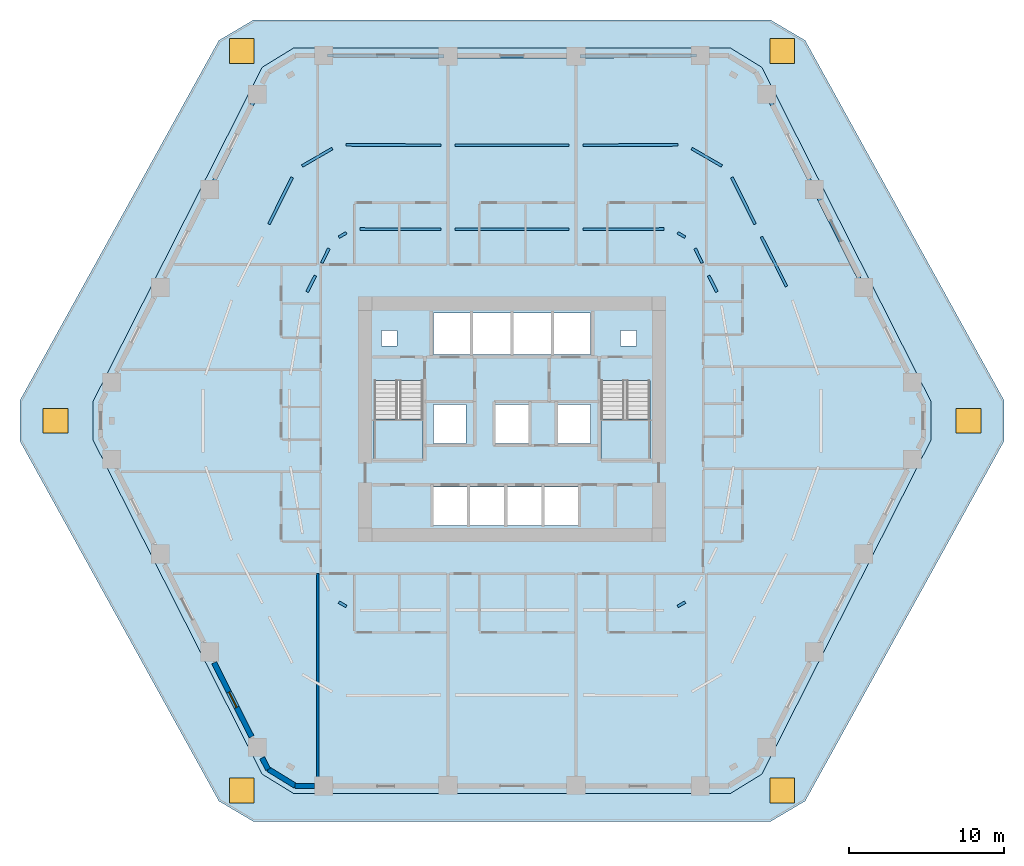
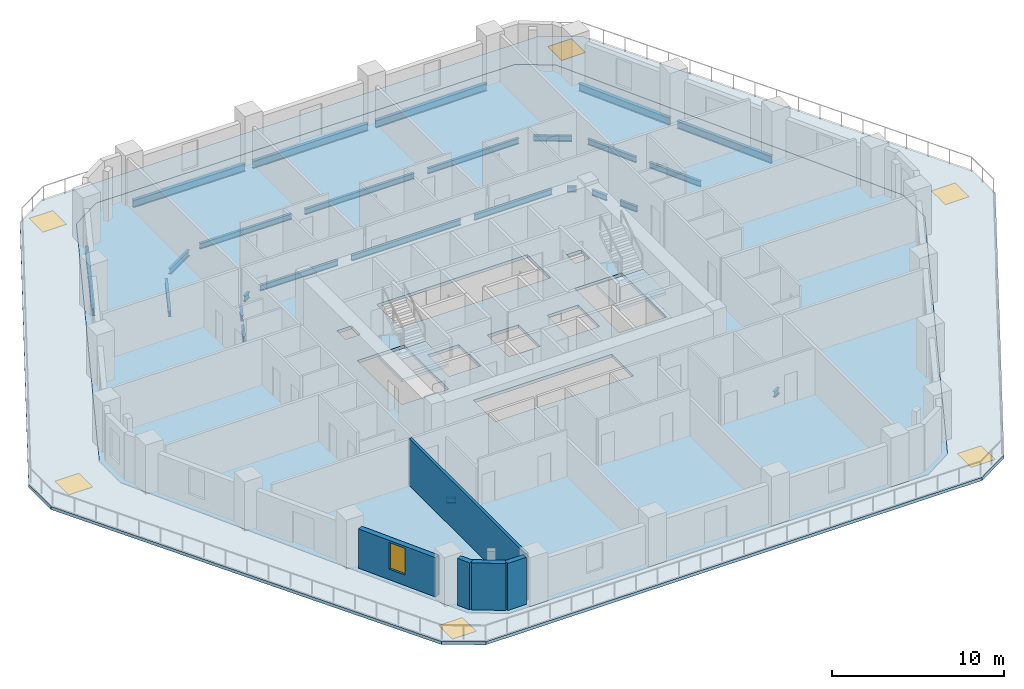
# One storey, part 2 of 10: 25 beams, 7 windows, 5 walls, 4 slabs, 7 openings, 2 elements without a shape of their own.
"""IFC4 building model written with IfcOpenShell, lengths in metres."""

from ifc_helpers import new_model, si_unit, direction, frame, frame_2d, origin, origin_2d, place, context, subcontext, project, spatial, polyline, rectangle, i_section, outline, extrude, material, layer, layer_set, material_profile, profile_set, type_object, element, fill, aggregate, save


model = new_model("IFC4")

# Units and contexts
model_context = context("Model", 3, precision=1e-05, world=origin(), true_north=direction((0.0, 1.0)))
body_context = subcontext(model_context, "Body", "Model", "MODEL_VIEW")
ifc_project = project(units=[si_unit("LENGTHUNIT", "METRE"), si_unit("AREAUNIT", "SQUARE_METRE"), si_unit("VOLUMEUNIT", "CUBIC_METRE"), si_unit("PLANEANGLEUNIT", "RADIAN"), si_unit("MASSUNIT", "GRAM", prefix="KILO")], contexts=[model_context])

# Site, building, storey
site_placement = place(None, origin())
site = spatial("IfcSite", under=ifc_project, at=site_placement, CompositionType="ELEMENT")
building_placement = place(site_placement, origin())
building = spatial("IfcBuilding", under=site, at=building_placement, Name="Cinnabar Lancet Tower", CompositionType="ELEMENT")
storey_placement = place(building_placement, frame((0.0, 0.0, 24.89990234375)))
storey = spatial("IfcBuildingStorey", under=building, at=storey_placement, Name="L05", CompositionType="ELEMENT", Elevation=24.89990234375)

# Beams
ifc_material_1 = material(Name="Structural steel S355", Category="steel")
ifc_material_profile_1 = material_profile(ifc_material_1, i_section(OverallWidth=0.177978515625, OverallDepth=0.406494140625, WebThickness=0.0078125, FlangeThickness=0.0126953125, FilletRadius=0.01025390625, at=origin_2d()), Name="UKB 406x178x60")
ifc_profile_set_1 = profile_set([ifc_material_profile_1], Name="Structural steel S355")
beam_type_1 = type_object("IfcBeamType", Name="STR-BM-JST-406", PredefinedType="JOIST", material=ifc_profile_set_1)
for number, where, z_axis, x_axis, name in (
    (1, (21.25390625, 14.12109375, -0.4228515625), (0.865275582927, -0.501296484717, 0.0), (0.501296484717, 0.865275582927, 0.0), "L05 Secondary Floor Joist 8"),
    (2, (43.06591796875, 13.843017578125, -0.4228515625), (0.865275582927, 0.501296484717, 0.0), (-0.501296484717, 0.865275582927, 0.0), "L05 Secondary Floor Joist 16"),
):
    element("IfcBeam", number, at=place(storey_placement, frame(where, z_axis=z_axis, x_axis=x_axis)), inside=storey, type_object=beam_type_1, Name=name, PredefinedType="JOIST", context=body_context, shape_type="SweptSolid", body=[
        extrude(i_section(OverallWidth=0.177978515625, OverallDepth=0.406494140625, WebThickness=0.0078125, FlangeThickness=0.0126953125, FilletRadius=0.01025390625, at=origin_2d()), origin(), (0.0, 0.0, 1.0), 0.5546875),
    ])
beam_1_placement = place(storey_placement, frame((50.075927734375, 34.443115234375, -0.4228515625), z_axis=(-0.45078084277, 0.892634657512, 0.0), x_axis=(-0.892634657512, -0.45078084277, 0.0)))
element("IfcBeam", 3, at=beam_1_placement, inside=storey, type_object=beam_type_1, Name="L05 Secondary Floor Joist 27", PredefinedType="JOIST", context=body_context, shape_type="SweptSolid", body=[
    extrude(i_section(OverallWidth=0.177978515625, OverallDepth=0.406494140625, WebThickness=0.0078125, FlangeThickness=0.0126953125, FilletRadius=0.01025390625, at=origin_2d()), origin(), (0.0, 0.0, 1.0), 3.582763671875),
])
beam_2_placement = place(storey_placement, frame((45.590087890625, 34.093017578125, -0.4228515625), z_axis=(-0.451268125173, 0.892388412745, 0.0), x_axis=(-0.892388412745, -0.451268125173, 0.0)))
element("IfcBeam", 4, at=beam_2_placement, inside=storey, type_object=beam_type_1, Name="L05 Secondary Floor Joist 28", PredefinedType="JOIST", context=body_context, shape_type="SweptSolid", body=[
    extrude(i_section(OverallWidth=0.177978515625, OverallDepth=0.406494140625, WebThickness=0.0078125, FlangeThickness=0.0126953125, FilletRadius=0.01025390625, at=origin_2d()), origin(), (0.0, 0.0, 1.0), 1.178955078125),
])
beam_3_placement = place(storey_placement, frame((48.052001953125, 38.45703125, -0.4228515625), z_axis=(-0.445649230563, 0.895207664902, 0.0), x_axis=(-0.895207664902, -0.445649230563, 0.0)))
element("IfcBeam", 5, at=beam_3_placement, inside=storey, type_object=beam_type_1, Name="L05 Secondary Floor Joist 29", PredefinedType="JOIST", context=body_context, shape_type="SweptSolid", body=[
    extrude(i_section(OverallWidth=0.177978515625, OverallDepth=0.406494140625, WebThickness=0.0078125, FlangeThickness=0.0126953125, FilletRadius=0.01025390625, at=origin_2d()), origin(), (0.0, 0.0, 1.0), 3.37255859375),
])
beam_4_placement = place(storey_placement, frame((44.64892578125, 35.9609375, -0.4228515625), z_axis=(-0.445150656948, 0.895455689925, 0.0), x_axis=(-0.895455689925, -0.445150656948, 0.0)))
element("IfcBeam", 6, at=beam_4_placement, inside=storey, type_object=beam_type_1, Name="L05 Secondary Floor Joist 30", PredefinedType="JOIST", context=body_context, shape_type="SweptSolid", body=[
    extrude(i_section(OverallWidth=0.177978515625, OverallDepth=0.406494140625, WebThickness=0.0078125, FlangeThickness=0.0126953125, FilletRadius=0.01025390625, at=origin_2d()), origin(), (0.0, 0.0, 1.0), 1.0419921875),
])
beam_5_placement = place(storey_placement, frame((45.909912109375, 42.200927734375, -0.4228515625), z_axis=(-0.865112573379, 0.501577746098, 0.0), x_axis=(-0.501577746098, -0.865112573379, 0.0)))
element("IfcBeam", 7, at=beam_5_placement, inside=storey, type_object=beam_type_1, Name="L05 Secondary Floor Joist 31", PredefinedType="JOIST", context=body_context, shape_type="SweptSolid", body=[
    extrude(i_section(OverallWidth=0.177978515625, OverallDepth=0.406494140625, WebThickness=0.0078125, FlangeThickness=0.0126953125, FilletRadius=0.01025390625, at=origin_2d()), origin(), (0.0, 0.0, 1.0), 2.239013671875),
])
beam_6_placement = place(storey_placement, frame((43.5458984375, 37.618896484375, -0.4228515625), z_axis=(-0.865275582927, 0.501296484717, 0.0), x_axis=(-0.501296484717, -0.865275582927, 0.0)))
element("IfcBeam", 8, at=beam_6_placement, inside=storey, type_object=beam_type_1, Name="L05 Secondary Floor Joist 32", PredefinedType="JOIST", context=body_context, shape_type="SweptSolid", body=[
    extrude(i_section(OverallWidth=0.177978515625, OverallDepth=0.406494140625, WebThickness=0.0078125, FlangeThickness=0.0126953125, FilletRadius=0.01025390625, at=origin_2d()), origin(), (0.0, 0.0, 1.0), 0.5546875),
])
beam_7_placement = place(storey_placement, frame((43.10009765625, 43.56298828125, -0.4228515625), z_axis=(-0.999987994221, -0.004900144348, 0.0), x_axis=(0.004900144348, -0.999987994221, 0.0)))
element("IfcBeam", 9, at=beam_7_placement, inside=storey, type_object=beam_type_1, Name="L05 Secondary Floor Joist 33", PredefinedType="JOIST", context=body_context, shape_type="SweptSolid", body=[
    extrude(i_section(OverallWidth=0.177978515625, OverallDepth=0.406494140625, WebThickness=0.0078125, FlangeThickness=0.0126953125, FilletRadius=0.01025390625, at=origin_2d()), origin(), (0.0, 0.0, 1.0), 6.128173828125),
])
beam_8_placement = place(storey_placement, frame((42.194091796875, 38.136962890625, -0.4228515625), z_axis=(-0.999996930284, -0.002477785755, 0.0), x_axis=(0.002477785755, -0.999996930284, 0.0)))
element("IfcBeam", 10, at=beam_8_placement, inside=storey, type_object=beam_type_1, Name="L05 Secondary Floor Joist 34", PredefinedType="JOIST", context=body_context, shape_type="SweptSolid", body=[
    extrude(i_section(OverallWidth=0.177978515625, OverallDepth=0.406494140625, WebThickness=0.0078125, FlangeThickness=0.0126953125, FilletRadius=0.01025390625, at=origin_2d()), origin(), (0.0, 0.0, 1.0), 5.22216796875),
])
for number, where, z_axis, x_axis, name in (
    (11, (36.072021484375, 43.531005859375, -0.4228515625), (-1.0, 0.0, 0.0), (0.0, -1.0, 0.0), "L05 Secondary Floor Joist 35"),
    (12, (36.072021484375, 38.1220703125, -0.4228515625), (-1.0, 0.0, 0.0), (0.0, -1.0, 0.0), "L05 Secondary Floor Joist 36"),
):
    element("IfcBeam", number, at=place(storey_placement, frame(where, z_axis=z_axis, x_axis=x_axis)), inside=storey, type_object=beam_type_1, Name=name, PredefinedType="JOIST", context=body_context, shape_type="SweptSolid", body=[
        extrude(i_section(OverallWidth=0.177978515625, OverallDepth=0.406494140625, WebThickness=0.0078125, FlangeThickness=0.0126953125, FilletRadius=0.01025390625, at=origin_2d()), origin(), (0.0, 0.0, 1.0), 7.343994140625),
    ])
beam_9_placement = place(storey_placement, frame((27.827880859375, 43.532958984375, -0.4228515625), z_axis=(-0.999987993264, 0.004900339569, 0.0), x_axis=(-0.004900339569, -0.999987993264, 0.0)))
element("IfcBeam", 13, at=beam_9_placement, inside=storey, type_object=beam_type_1, Name="L05 Secondary Floor Joist 37", PredefinedType="JOIST", context=body_context, shape_type="SweptSolid", body=[
    extrude(i_section(OverallWidth=0.177978515625, OverallDepth=0.406494140625, WebThickness=0.0078125, FlangeThickness=0.0126953125, FilletRadius=0.01025390625, at=origin_2d()), origin(), (0.0, 0.0, 1.0), 6.1279296875),
])
beam_10_placement = place(storey_placement, frame((27.827880859375, 38.1240234375, -0.4228515625), z_axis=(-0.999996929997, 0.002477901598, 0.0), x_axis=(-0.002477901598, -0.999996929997, 0.0)))
element("IfcBeam", 14, at=beam_10_placement, inside=storey, type_object=beam_type_1, Name="L05 Secondary Floor Joist 38", PredefinedType="JOIST", context=body_context, shape_type="SweptSolid", body=[
    extrude(i_section(OverallWidth=0.177978515625, OverallDepth=0.406494140625, WebThickness=0.0078125, FlangeThickness=0.0126953125, FilletRadius=0.01025390625, at=origin_2d()), origin(), (0.0, 0.0, 1.0), 5.221923828125),
])
beam_11_placement = place(storey_placement, frame((20.826904296875, 43.323974609375, -0.4228515625), z_axis=(-0.865112573379, -0.501577746098, 0.0), x_axis=(0.501577746098, -0.865112573379, 0.0)))
element("IfcBeam", 15, at=beam_11_placement, inside=storey, type_object=beam_type_1, Name="L05 Secondary Floor Joist 39", PredefinedType="JOIST", context=body_context, shape_type="SweptSolid", body=[
    extrude(i_section(OverallWidth=0.177978515625, OverallDepth=0.406494140625, WebThickness=0.0078125, FlangeThickness=0.0126953125, FilletRadius=0.01025390625, at=origin_2d()), origin(), (0.0, 0.0, 1.0), 2.239013671875),
])
beam_12_placement = place(storey_placement, frame((21.73388671875, 37.89697265625, -0.4228515625), z_axis=(-0.865275582927, -0.501296484717, 0.0), x_axis=(0.501296484717, -0.865275582927, 0.0)))
element("IfcBeam", 16, at=beam_12_placement, inside=storey, type_object=beam_type_1, Name="L05 Secondary Floor Joist 40", PredefinedType="JOIST", context=body_context, shape_type="SweptSolid", body=[
    extrude(i_section(OverallWidth=0.177978515625, OverallDepth=0.406494140625, WebThickness=0.0078125, FlangeThickness=0.0126953125, FilletRadius=0.01025390625, at=origin_2d()), origin(), (0.0, 0.0, 1.0), 0.5546875),
])
beam_13_placement = place(storey_placement, frame((18.2509765625, 41.47607421875, -0.4228515625), z_axis=(-0.445649230563, -0.895207664902, 0.0), x_axis=(0.895207664902, -0.445649230563, 0.0)))
element("IfcBeam", 17, at=beam_13_placement, inside=storey, type_object=beam_type_1, Name="L05 Secondary Floor Joist 41", PredefinedType="JOIST", context=body_context, shape_type="SweptSolid", body=[
    extrude(i_section(OverallWidth=0.177978515625, OverallDepth=0.406494140625, WebThickness=0.0078125, FlangeThickness=0.0126953125, FilletRadius=0.01025390625, at=origin_2d()), origin(), (0.0, 0.0, 1.0), 3.37255859375),
])
beam_14_placement = place(storey_placement, frame((20.614990234375, 36.89404296875, -0.4228515625), z_axis=(-0.445338490717, -0.895362289069, 0.0), x_axis=(0.895362289069, -0.445338490717, 0.0)))
element("IfcBeam", 18, at=beam_14_placement, inside=storey, type_object=beam_type_1, Name="L05 Secondary Floor Joist 42", PredefinedType="JOIST", context=body_context, shape_type="SweptSolid", body=[
    extrude(i_section(OverallWidth=0.177978515625, OverallDepth=0.406494140625, WebThickness=0.0078125, FlangeThickness=0.0126953125, FilletRadius=0.01025390625, at=origin_2d()), origin(), (0.0, 0.0, 1.0), 1.042236328125),
])
beam_15_placement = place(storey_placement, frame((19.741943359375, 35.14501953125, -0.4228515625), z_axis=(-0.451268125173, -0.892388412745, 0.0), x_axis=(0.892388412745, -0.451268125173, 0.0)))
element("IfcBeam", 19, at=beam_15_placement, inside=storey, type_object=beam_type_1, Name="L05 Secondary Floor Joist 44", PredefinedType="JOIST", context=body_context, shape_type="SweptSolid", body=[
    extrude(i_section(OverallWidth=0.177978515625, OverallDepth=0.406494140625, WebThickness=0.0078125, FlangeThickness=0.0126953125, FilletRadius=0.01025390625, at=origin_2d()), origin(), (0.0, 0.0, 1.0), 1.178955078125),
])
ifc_material_2 = material(Name="Structural steel S355", Category="steel")
ifc_material_profile_2 = material_profile(ifc_material_2, i_section(OverallWidth=0.209228515625, OverallDepth=0.533203125, WebThickness=0.010009765625, FlangeThickness=0.015625, FilletRadius=0.0126953125, at=origin_2d()), Name="UKB 533x210x92")
ifc_profile_set_2 = profile_set([ifc_material_profile_2], Name="Structural steel S355")
beam_type_2 = type_object("IfcBeamType", Name="STR-BM-SPN-533", PredefinedType="SPANDREL", material=ifc_profile_set_2)
beam_16_placement = place(storey_placement, frame((54.93310546875, 34.60302734375, -0.48681640625), z_axis=(-0.450703143926, 0.892673891214, 0.0), x_axis=(-0.892673891214, -0.450703143926, 0.0)))
element("IfcBeam", 20, at=beam_16_placement, inside=storey, type_object=beam_type_2, Name="L05 Perimeter Spandrel 10", PredefinedType="SPANDREL", context=body_context, shape_type="SweptSolid", body=[
    extrude(i_section(OverallWidth=0.209228515625, OverallDepth=0.533203125, WebThickness=0.010009765625, FlangeThickness=0.015625, FilletRadius=0.0126953125, at=origin_2d()), origin(), (0.0, 0.0, 1.0), 6.570068359375),
])
beam_17_placement = place(storey_placement, frame((51.748046875, 40.9150390625, -0.48681640625), z_axis=(-0.445953050023, 0.89505635419, 0.0), x_axis=(-0.89505635419, -0.445953050023, 0.0)))
element("IfcBeam", 21, at=beam_17_placement, inside=storey, type_object=beam_type_2, Name="L05 Perimeter Spandrel 11", PredefinedType="SPANDREL", context=body_context, shape_type="SweptSolid", body=[
    extrude(i_section(OverallWidth=0.209228515625, OverallDepth=0.533203125, WebThickness=0.010009765625, FlangeThickness=0.015625, FilletRadius=0.0126953125, at=origin_2d()), origin(), (0.0, 0.0, 1.0), 6.35498046875),
])
beam_18_placement = place(storey_placement, frame((44.26708984375, 49.30908203125, -0.48681640625), z_axis=(-0.99997856757, -0.006547090947, 0.0), x_axis=(0.006547090947, -0.99997856757, 0.0)))
element("IfcBeam", 22, at=beam_18_placement, inside=storey, type_object=beam_type_2, Name="L05 Perimeter Spandrel 13", PredefinedType="SPANDREL", context=body_context, shape_type="SweptSolid", body=[
    extrude(i_section(OverallWidth=0.209228515625, OverallDepth=0.533203125, WebThickness=0.010009765625, FlangeThickness=0.015625, FilletRadius=0.0126953125, at=origin_2d()), origin(), (0.0, 0.0, 1.0), 7.495361328125),
])
beam_19_placement = place(storey_placement, frame((36.27197265625, 49.258056640625, -0.48681640625), z_axis=(-1.0, 0.0, 0.0), x_axis=(0.0, -1.0, 0.0)))
element("IfcBeam", 23, at=beam_19_placement, inside=storey, type_object=beam_type_2, Name="L05 Perimeter Spandrel 14", PredefinedType="SPANDREL", context=body_context, shape_type="SweptSolid", body=[
    extrude(i_section(OverallWidth=0.209228515625, OverallDepth=0.533203125, WebThickness=0.010009765625, FlangeThickness=0.015625, FilletRadius=0.0126953125, at=origin_2d()), origin(), (0.0, 0.0, 1.0), 7.743896484375),
])
beam_20_placement = place(storey_placement, frame((28.028076171875, 49.260009765625, -0.48681640625), z_axis=(-0.99997856757, 0.006547090947, 0.0), x_axis=(-0.006547090947, -0.99997856757, 0.0)))
element("IfcBeam", 24, at=beam_20_placement, inside=storey, type_object=beam_type_2, Name="L05 Perimeter Spandrel 15", PredefinedType="SPANDREL", context=body_context, shape_type="SweptSolid", body=[
    extrude(i_section(OverallWidth=0.209228515625, OverallDepth=0.533203125, WebThickness=0.010009765625, FlangeThickness=0.015625, FilletRadius=0.0126953125, at=origin_2d()), origin(), (0.0, 0.0, 1.0), 7.495361328125),
])
beam_21_placement = place(storey_placement, frame((15.885986328125, 46.60302734375, -0.48681640625), z_axis=(-0.445953050023, -0.89505635419, 0.0), x_axis=(0.89505635419, -0.445953050023, 0.0)))
element("IfcBeam", 25, at=beam_21_placement, inside=storey, type_object=beam_type_2, Name="L05 Perimeter Spandrel 17", PredefinedType="SPANDREL", context=body_context, shape_type="SweptSolid", body=[
    extrude(i_section(OverallWidth=0.209228515625, OverallDepth=0.533203125, WebThickness=0.010009765625, FlangeThickness=0.015625, FilletRadius=0.0126953125, at=origin_2d()), origin(), (0.0, 0.0, 1.0), 6.35498046875),
])

# Stair, slab
ifc_material_3 = material(Name="Concrete C40/50", Category="concrete")
stair_type = type_object("IfcStairType", Name="ST-CORE", PredefinedType="HALF_TURN_STAIR", material=ifc_material_3)
stair_1_placement = place(storey_placement, origin())
stair_1 = element("IfcStair", 26, at=stair_1_placement, inside=storey, type_object=stair_type, Name="L05 ST-1", PredefinedType="HALF_TURN_STAIR")
ifc_material_4 = material(Name="Concrete C40/50", Category="concrete")
ifc_layer_1 = layer(ifc_material_4, 0.199951171875)
ifc_layer_set_1 = layer_set([ifc_layer_1], Name="Concrete C40/50")
slab_type_1 = type_object("IfcSlabType", Name="LANDING-CORE", PredefinedType="LANDING", material=ifc_layer_set_1)
slab_1_placement = place(storey_placement, frame((0.0, 0.0, 1.5751953125)))
slab_1 = element("IfcSlab", 27, at=slab_1_placement, type_object=slab_type_1, Name="ST-1 landing 1", PredefinedType="LANDING", context=body_context, shape_type="SweptSolid", body=[
    extrude(outline(polyline([(23.52490234375, 25.925048828125), (23.52490234375, 23.25), (26.675048828125, 23.25), (26.675048828125, 25.925048828125), (23.52490234375, 25.925048828125)])), origin(), (0.0, 0.0, 1.0), 0.199951171875),
])
aggregate(stair_1, [slab_1])

stair_2_placement = place(storey_placement, origin())
stair_2 = element("IfcStair", 28, at=stair_2_placement, inside=storey, type_object=stair_type, Name="L05 ST-2", PredefinedType="HALF_TURN_STAIR")
slab_2_placement = place(storey_placement, frame((0.0, 0.0, 1.5751953125)))
slab_2 = element("IfcSlab", 29, at=slab_2_placement, type_object=slab_type_1, Name="ST-2 landing 1", PredefinedType="LANDING", context=body_context, shape_type="SweptSolid", body=[
    extrude(outline(polyline([(38.125, 25.925048828125), (38.125, 23.25), (41.27490234375, 23.25), (41.27490234375, 25.925048828125), (38.125, 25.925048828125)])), origin(), (0.0, 0.0, 1.0), 0.199951171875),
])
aggregate(stair_2, [slab_2])

# Slab
ifc_material_5 = material(Name="Concrete C40/50", Category="concrete")
ifc_layer_2 = layer(ifc_material_5, 0.219970703125)
ifc_layer_set_2 = layer_set([ifc_layer_2], Name="Concrete C40/50")
slab_type_2 = type_object("IfcSlabType", Name="STR-SLB-FLR-220", PredefinedType="FLOOR", material=ifc_layer_set_2)
slab_3_placement = place(storey_placement, frame((0.0, 0.0, -0.219970703125)))
element("IfcSlab", 30, at=slab_3_placement, inside=storey, type_object=slab_type_2, Name="L05 Structural Floor Slab", PredefinedType="FLOOR", context=body_context, shape_type="SweptSolid", body=[
    extrude(outline(polyline([(16.31201171875, 3.049072265625), (18.343994140625, 1.800048828125), (46.4560546875, 1.800048828125), (48.488037109375, 3.049072265625), (59.367919921875, 24.551025390625), (59.367919921875, 27.049072265625), (48.488037109375, 48.551025390625), (46.4560546875, 49.800048828125), (18.343994140625, 49.800048828125), (16.31201171875, 48.551025390625), (5.431884765625, 27.049072265625), (5.431884765625, 24.551025390625), (16.31201171875, 3.049072265625)]), holes=[polyline([(23.52490234375, 23.25), (26.675048828125, 23.25), (26.675048828125, 28.3994140625), (23.52490234375, 28.3994140625), (23.52490234375, 23.25)]), polyline([(38.125, 23.25), (41.27490234375, 23.25), (41.27490234375, 28.3994140625), (38.125, 28.3994140625), (38.125, 23.25)]), polyline([(27.35009765625, 30.050048828125), (37.449951171875, 30.050048828125), (37.449951171875, 32.75), (27.35009765625, 32.75), (27.35009765625, 30.050048828125)]), polyline([(27.35009765625, 19.050048828125), (36.64990234375, 19.050048828125), (36.64990234375, 21.550048828125), (27.35009765625, 21.550048828125), (27.35009765625, 19.050048828125)]), polyline([(27.35009765625, 24.35009765625), (29.449951171875, 24.35009765625), (29.449951171875, 26.85009765625), (27.35009765625, 26.85009765625), (27.35009765625, 24.35009765625)]), polyline([(35.35009765625, 24.35009765625), (37.449951171875, 24.35009765625), (37.449951171875, 26.85009765625), (35.35009765625, 26.85009765625), (35.35009765625, 24.35009765625)]), polyline([(31.35009765625, 24.35009765625), (33.449951171875, 24.35009765625), (33.449951171875, 26.85009765625), (31.35009765625, 26.85009765625), (31.35009765625, 24.35009765625)]), polyline([(24.0, 30.60009765625), (25.0, 30.60009765625), (25.0, 31.60009765625), (24.0, 31.60009765625), (24.0, 30.60009765625)]), polyline([(39.39990234375, 30.60009765625), (40.39990234375, 30.60009765625), (40.39990234375, 31.60009765625), (39.39990234375, 31.60009765625), (39.39990234375, 30.60009765625)])]), origin(), (0.0, 0.0, 1.0), 0.219970703125),
])

# Slab, openings, windows
ifc_material_6 = material(Name="Concrete C45/55", Category="concrete")
ifc_layer_3 = layer(ifc_material_6, 0.219970703125)
ifc_layer_set_3 = layer_set([ifc_layer_3], Name="Concrete C45/55")
slab_type_3 = type_object("IfcSlabType", Name="STR-SLB-ROOF-220", PredefinedType="ROOF", material=ifc_layer_set_3)
slab_4_placement = place(storey_placement, frame((0.0, 0.0, -0.219970703125)))
slab_4 = element("IfcSlab", 31, at=slab_4_placement, inside=storey, type_object=slab_type_3, Name="L05 Planted Setback Roof Terrace Slab", PredefinedType="ROOF", context=body_context, shape_type="SweptSolid", body=[
    extrude(outline(polyline([(13.531005859375, 1.31298828125), (15.756103515625, 0.0), (49.0439453125, 0.0), (51.26904296875, 1.31298828125), (64.074951171875, 24.487060546875), (64.074951171875, 27.113037109375), (51.26904296875, 50.287109375), (49.0439453125, 51.60009765625), (15.756103515625, 51.60009765625), (13.531005859375, 50.287109375), (0.72509765625, 27.113037109375), (0.72509765625, 24.487060546875), (13.531005859375, 1.31298828125)]), holes=[polyline([(16.31201171875, 3.049072265625), (18.343994140625, 1.800048828125), (46.4560546875, 1.800048828125), (48.488037109375, 3.049072265625), (59.367919921875, 24.551025390625), (59.367919921875, 27.049072265625), (48.488037109375, 48.551025390625), (46.4560546875, 49.800048828125), (18.343994140625, 49.800048828125), (16.31201171875, 48.551025390625), (5.431884765625, 27.049072265625), (5.431884765625, 24.551025390625), (16.31201171875, 3.049072265625)])]), origin(), (0.0, 0.0, 1.0), 0.219970703125),
])
opening_1_placement = place(slab_4_placement, frame((15.0, 2.0, 0.0)))
opening_1 = element("IfcOpeningElement", 32, at=opening_1_placement, cuts=slab_4, Name="Opening SK-02", PredefinedType="OPENING", context=body_context, shape_type="SweptSolid", body=[
    extrude(rectangle(XDim=1.60009765625, YDim=1.60009765625, at=origin_2d()), origin(), (0.0, 0.0, 1.0), 0.219970703125),
])
opening_2_placement = place(slab_4_placement, frame((49.800048828125, 2.0, 0.0)))
opening_2 = element("IfcOpeningElement", 33, at=opening_2_placement, cuts=slab_4, Name="Opening SK-02", PredefinedType="OPENING", context=body_context, shape_type="SweptSolid", body=[
    extrude(rectangle(XDim=1.60009765625, YDim=1.60009765625, at=origin_2d()), origin(), (0.0, 0.0, 1.0), 0.219970703125),
])
opening_3_placement = place(slab_4_placement, frame((15.0, 49.60009765625, 0.0)))
opening_3 = element("IfcOpeningElement", 34, at=opening_3_placement, cuts=slab_4, Name="Opening SK-02", PredefinedType="OPENING", context=body_context, shape_type="SweptSolid", body=[
    extrude(rectangle(XDim=1.60009765625, YDim=1.60009765625, at=origin_2d()), origin(), (0.0, 0.0, 1.0), 0.219970703125),
])
opening_4_placement = place(slab_4_placement, frame((49.800048828125, 49.60009765625, 0.0)))
opening_4 = element("IfcOpeningElement", 35, at=opening_4_placement, cuts=slab_4, Name="Opening SK-02", PredefinedType="OPENING", context=body_context, shape_type="SweptSolid", body=[
    extrude(rectangle(XDim=1.60009765625, YDim=1.60009765625, at=origin_2d()), origin(), (0.0, 0.0, 1.0), 0.219970703125),
])
opening_5_placement = place(slab_4_placement, frame((3.0, 25.800048828125, 0.0)))
opening_5 = element("IfcOpeningElement", 36, at=opening_5_placement, cuts=slab_4, Name="Opening SK-02", PredefinedType="OPENING", context=body_context, shape_type="SweptSolid", body=[
    extrude(rectangle(XDim=1.60009765625, YDim=1.60009765625, at=origin_2d()), origin(), (0.0, 0.0, 1.0), 0.219970703125),
])
opening_6_placement = place(slab_4_placement, frame((61.800048828125, 25.800048828125, 0.0)))
opening_6 = element("IfcOpeningElement", 37, at=opening_6_placement, cuts=slab_4, Name="Opening SK-02", PredefinedType="OPENING", context=body_context, shape_type="SweptSolid", body=[
    extrude(rectangle(XDim=1.60009765625, YDim=1.60009765625, at=origin_2d()), origin(), (0.0, 0.0, 1.0), 0.219970703125),
])
ifc_material_7 = material(Name="Thermally broken laminated low-E terrace skylight", Category="glass")
window_type_1 = type_object("IfcWindowType", Name="ENV-WN-SKYLT-1600", PartitioningType="SINGLE_PANEL", PredefinedType="SKYLIGHT", material=ifc_material_7)
window_1_placement = place(opening_1_placement, frame((0.0, 0.0, 0.169921875)))
window_1 = element("IfcWindow", 38, at=window_1_placement, inside=storey, type_object=window_type_1, Name="L05 Setback Terrace Skylight 1", OverallHeight=1.60009765625, OverallWidth=1.60009765625, PartitioningType="SINGLE_PANEL", PredefinedType="SKYLIGHT", context=body_context, shape_type="SweptSolid", body=[
    extrude(rectangle(XDim=1.60009765625, YDim=1.60009765625, at=origin_2d()), origin(), (0.0, 0.0, 1.0), 0.050048828125),
])
fill(opening_1, window_1)
window_2_placement = place(opening_2_placement, frame((0.0, 0.0, 0.169921875)))
window_2 = element("IfcWindow", 39, at=window_2_placement, inside=storey, type_object=window_type_1, Name="L05 Setback Terrace Skylight 2", OverallHeight=1.60009765625, OverallWidth=1.60009765625, PartitioningType="SINGLE_PANEL", PredefinedType="SKYLIGHT", context=body_context, shape_type="SweptSolid", body=[
    extrude(rectangle(XDim=1.60009765625, YDim=1.60009765625, at=origin_2d()), origin(), (0.0, 0.0, 1.0), 0.050048828125),
])
fill(opening_2, window_2)
window_3_placement = place(opening_3_placement, frame((0.0, 0.0, 0.169921875)))
window_3 = element("IfcWindow", 40, at=window_3_placement, inside=storey, type_object=window_type_1, Name="L05 Setback Terrace Skylight 3", OverallHeight=1.60009765625, OverallWidth=1.60009765625, PartitioningType="SINGLE_PANEL", PredefinedType="SKYLIGHT", context=body_context, shape_type="SweptSolid", body=[
    extrude(rectangle(XDim=1.60009765625, YDim=1.60009765625, at=origin_2d()), origin(), (0.0, 0.0, 1.0), 0.050048828125),
])
fill(opening_3, window_3)
window_4_placement = place(opening_4_placement, frame((0.0, 0.0, 0.169921875)))
window_4 = element("IfcWindow", 41, at=window_4_placement, inside=storey, type_object=window_type_1, Name="L05 Setback Terrace Skylight 4", OverallHeight=1.60009765625, OverallWidth=1.60009765625, PartitioningType="SINGLE_PANEL", PredefinedType="SKYLIGHT", context=body_context, shape_type="SweptSolid", body=[
    extrude(rectangle(XDim=1.60009765625, YDim=1.60009765625, at=origin_2d()), origin(), (0.0, 0.0, 1.0), 0.050048828125),
])
fill(opening_4, window_4)
window_5_placement = place(opening_5_placement, frame((0.0, 0.0, 0.169921875)))
window_5 = element("IfcWindow", 42, at=window_5_placement, inside=storey, type_object=window_type_1, Name="L05 Setback Terrace Skylight 5", OverallHeight=1.60009765625, OverallWidth=1.60009765625, PartitioningType="SINGLE_PANEL", PredefinedType="SKYLIGHT", context=body_context, shape_type="SweptSolid", body=[
    extrude(rectangle(XDim=1.60009765625, YDim=1.60009765625, at=origin_2d()), origin(), (0.0, 0.0, 1.0), 0.050048828125),
])
fill(opening_5, window_5)
window_6_placement = place(opening_6_placement, frame((0.0, 0.0, 0.169921875)))
window_6 = element("IfcWindow", 43, at=window_6_placement, inside=storey, type_object=window_type_1, Name="L05 Setback Terrace Skylight 6", OverallHeight=1.60009765625, OverallWidth=1.60009765625, PartitioningType="SINGLE_PANEL", PredefinedType="SKYLIGHT", context=body_context, shape_type="SweptSolid", body=[
    extrude(rectangle(XDim=1.60009765625, YDim=1.60009765625, at=origin_2d()), origin(), (0.0, 0.0, 1.0), 0.050048828125),
])
fill(opening_6, window_6)

# Walls
ifc_material_8 = material(Name="Fire-rated twin-frame acoustic drywall", Category="gypsum")
ifc_layer_4 = layer(ifc_material_8, 0.179931640625)
ifc_layer_set_4 = layer_set([ifc_layer_4], Name="Fire-rated twin-frame acoustic drywall")
wall_type_1 = type_object("IfcWallType", Name="ARC-WL-PARTY-180", PredefinedType="PARTITIONING", material=ifc_layer_set_4)
wall_1_placement = place(storey_placement, frame((19.89990234375, 2.455078125, 0.0), z_axis=(0.0, 0.0, 1.0), x_axis=(0.0, 1.0, 0.0)))
element("IfcWall", 44, at=wall_1_placement, inside=storey, type_object=wall_type_1, Name="PW-L05-SPTY-199", PredefinedType="PARTITIONING", context=body_context, shape_type="SweptSolid", body=[
    extrude(rectangle(XDim=13.494873046875, YDim=0.179931640625, at=frame_2d((6.74755859375, 0.0))), origin(), (0.0, 0.0, 1.0), 3.330078125),
])
ifc_material_9 = material(Name="Cinnabar red clay brick", Category="masonry")
ifc_layer_5 = layer(ifc_material_9, 0.340087890625)
ifc_layer_set_5 = layer_set([ifc_layer_5], Name="Cinnabar red clay brick")
wall_type_2 = type_object("IfcWallType", Name="ENV-WL-BRK-RED-340", PredefinedType="STANDARD", material=ifc_layer_set_5)
wall_2_placement = place(storey_placement, frame((16.719970703125, 3.362060546875, 0.0), z_axis=(0.0, 0.0, 1.0), x_axis=(0.851816122478, -0.523840904748, 0.0)))
element("IfcWall", 45, at=wall_2_placement, inside=storey, type_object=wall_type_2, Name="L05 Chamfered Corner Brick Pier 1.1", PredefinedType="STANDARD", context=body_context, shape_type="SweptSolid", body=[
    extrude(rectangle(XDim=2.01806640625, YDim=0.340087890625, at=frame_2d((1.009033203125, 0.0))), origin(), (0.0, 0.0, 1.0), 3.330078125),
])
wall_3_placement = place(storey_placement, frame((18.43408203125, 2.280029296875, 0.0), z_axis=(0.0, 0.0, 1.0), x_axis=(1.0, 0.0, 0.0)))
element("IfcWall", 46, at=wall_3_placement, inside=storey, type_object=wall_type_2, Name="L05 Face 1 Masonry Bay Wall 1", PredefinedType="STANDARD", context=body_context, shape_type="SweptSolid", body=[
    extrude(rectangle(XDim=1.244873046875, YDim=0.340087890625, at=frame_2d((0.62255859375, 0.0))), origin(), (0.0, 0.0, 1.0), 3.330078125),
])

# Wall, opening, window
wall_4_placement = place(storey_placement, frame((13.217041015625, 10.22802734375, 0.0), z_axis=(0.0, 0.0, 1.0), x_axis=(0.451697561555, -0.892171123095, 0.0)))
wall_4 = element("IfcWall", 47, at=wall_4_placement, inside=storey, type_object=wall_type_2, Name="L05 Face 6 Masonry Bay Wall 4", PredefinedType="STANDARD", context=body_context, shape_type="SweptSolid", body=[
    extrude(rectangle(XDim=5.350830078125, YDim=0.340087890625, at=frame_2d((2.67529296875, 0.0))), origin(), (0.0, 0.0, 1.0), 2.787109375),
])
opening_7_placement = place(wall_4_placement, frame((2.125, 0.0, 0.75)))
opening_7 = element("IfcOpeningElement", 48, at=opening_7_placement, cuts=wall_4, Name="Opening WN-04", PredefinedType="OPENING", context=body_context, shape_type="SweptSolid", body=[
    extrude(rectangle(XDim=1.10009765625, YDim=1.886962890625, at=frame_2d((0.550048828125, 0.943359375))), frame((0.0, 0.179931640625, 0.0), z_axis=(0.0, -1.0, 0.0), x_axis=(1.0, 0.0, 0.0)), (0.0, 0.0, 1.0), 0.360107421875),
])
ifc_material_10 = material(Name="Thermally broken bronze-anodized aluminium tall lancet window", Category="aluminium")
window_type_2 = type_object("IfcWindowType", Name="ENV-WN-LANCET-1100", PartitioningType="SINGLE_PANEL", PredefinedType="WINDOW", material=ifc_material_10)
window_7_placement = place(opening_7_placement, origin())
window_7 = element("IfcWindow", 49, at=window_7_placement, inside=storey, type_object=window_type_2, Name="L05 Face 6 Gothic Lancet Window 4", OverallHeight=1.886962890625, OverallWidth=1.10009765625, PartitioningType="SINGLE_PANEL", PredefinedType="WINDOW", context=body_context, shape_type="SweptSolid", body=[
    extrude(rectangle(XDim=1.10009765625, YDim=1.886962890625, at=frame_2d((0.550048828125, 0.943359375))), frame((0.0, 0.030029296875, 0.0), z_axis=(0.0, -1.0, 0.0), x_axis=(1.0, 0.0, 0.0)), (0.0, 0.0, 1.0), 0.06005859375),
])
fill(opening_7, window_7)

# Wall
wall_5_placement = place(storey_placement, frame((16.322021484375, 4.092041015625, 0.0), z_axis=(0.0, 0.0, 1.0), x_axis=(0.45187807258, -0.892079709175, 0.0)))
element("IfcWall", 50, at=wall_5_placement, inside=storey, type_object=wall_type_2, Name="L05 Face 6 Masonry Bay Wall 5", PredefinedType="STANDARD", context=body_context, shape_type="SweptSolid", body=[
    extrude(rectangle(XDim=0.83642578125, YDim=0.340087890625, at=frame_2d((0.418212890625, 0.0))), origin(), (0.0, 0.0, 1.0), 3.330078125),
])

save(model, "model.ifc")
